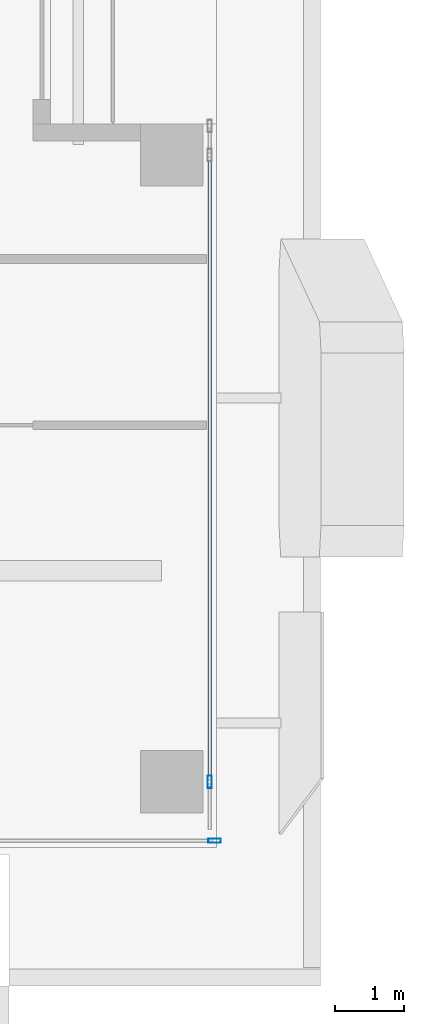
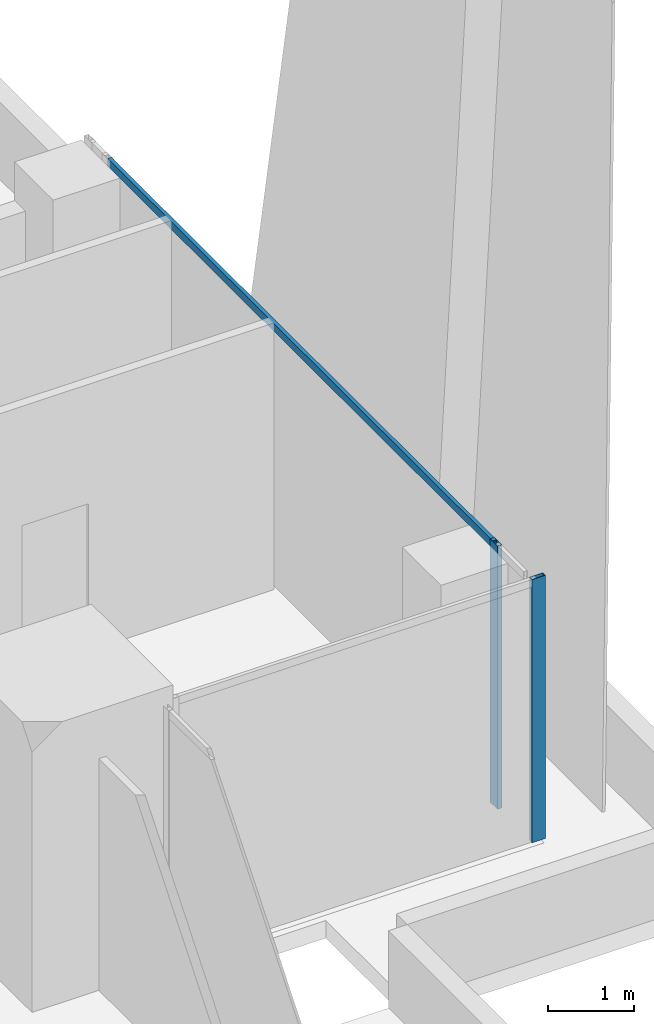
# One storey, part 11 of 33: 3 members, 2 elements without a shape of their own.
"""IFC4 building model written with IfcOpenShell, lengths in metres."""

from ifc_helpers import new_model, si_unit, direction, frame, origin, origin_2d, place, context, subcontext, project, spatial, hollow_rectangle, extrude, source, transform, mapped, material, material_profile, profile_set, type_object, element, aggregate, save


model = new_model("IFC4")

# Units and contexts
model_context = context("Model", 3, precision=1e-05, world=origin(), true_north=direction((0.0, 1.0)))
body_context = subcontext(model_context, "Body", "Model", "MODEL_VIEW")
ifc_project = project(units=[si_unit("LENGTHUNIT", "METRE"), si_unit("AREAUNIT", "SQUARE_METRE"), si_unit("VOLUMEUNIT", "CUBIC_METRE"), si_unit("PLANEANGLEUNIT", "RADIAN"), si_unit("MASSUNIT", "GRAM", prefix="KILO")], contexts=[model_context])

# Site, building, storey
site_placement = place(None, origin())
site = spatial("IfcSite", under=ifc_project, at=site_placement, CompositionType="ELEMENT")
building_placement = place(site_placement, origin())
building = spatial("IfcBuilding", under=site, at=building_placement, Name="Khomas Fold Tower", CompositionType="ELEMENT")
storey_placement = place(building_placement, frame((0.0, 0.0, 222.199951171875)))
storey = spatial("IfcBuildingStorey", under=building, at=storey_placement, Name="L49", CompositionType="ELEMENT", Elevation=222.199951171875)

# Curtain wall, member
ifc_material_1 = material(Name="Aluminium framed double glazing", Category="aluminium")
curtain_wall_type = type_object("IfcCurtainWallType", Name="SK-Unitised clear-glass wall, office floors CW2", PredefinedType="NOTDEFINED", material=ifc_material_1)
curtain_wall_1_placement = place(storey_placement, origin())
curtain_wall_1 = element("IfcCurtainWall", 1, at=curtain_wall_1_placement, inside=storey, type_object=curtain_wall_type, Name="CW2 corner return L49 02", PredefinedType="NOTDEFINED")
ifc_material_2 = material(Name="Aluminium", Category="aluminium")
ifc_material_profile_1 = material_profile(ifc_material_2, hollow_rectangle(XDim=0.06005859375, YDim=0.179931640625, WallThickness=0.00390625, at=origin_2d()), Name="SK-Unitised clear-glass wall, office floors mullion CW2-M")
ifc_profile_set_1 = profile_set([ifc_material_profile_1], Name="Aluminium")
member_type_1 = type_object("IfcMemberType", Name="SK-Unitised clear-glass wall, office floors mullion CW2-M", PredefinedType="MULLION", material=ifc_profile_set_1)
shared_shape_1 = source(origin(), body_context, "Body", "SweptSolid", [
    extrude(hollow_rectangle(XDim=0.06005859375, YDim=0.179931640625, WallThickness=0.00390625, at=origin_2d()), origin(), (0.0, 0.0, 1.0), 3.75),
])
member_1_placement = place(storey_placement, frame((49.469970703125, 9.60009765625, 0.0), z_axis=(0.0, 0.0, 1.0), x_axis=(0.0, 1.0, 0.0)))
member_1 = element("IfcMember", 2, at=member_1_placement, type_object=member_type_1, Name="CW2 mullion 2", PredefinedType="MULLION", context=body_context, shape_type="MappedRepresentation", body=[
    mapped(shared_shape_1, transform((0.0, 0.0, 0.0))),
])
aggregate(curtain_wall_1, [member_1])

# Curtain wall, members
curtain_wall_2_placement = place(storey_placement, origin())
curtain_wall_2 = element("IfcCurtainWall", 3, at=curtain_wall_2_placement, inside=storey, type_object=curtain_wall_type, Name="CW2 run L49 03-0", PredefinedType="NOTDEFINED")
member_2_placement = place(storey_placement, frame((49.39990234375, 10.449951171875, 0.0), z_axis=(0.0, 0.0, 1.0), x_axis=(-1.0, 0.0, 0.0)))
member_2 = element("IfcMember", 4, at=member_2_placement, type_object=member_type_1, Name="CW2 mullion 2", PredefinedType="MULLION", context=body_context, shape_type="MappedRepresentation", body=[
    mapped(shared_shape_1, transform((0.0, 0.0, 0.0))),
])
ifc_material_3 = material(Name="Aluminium", Category="aluminium")
ifc_material_profile_2 = material_profile(ifc_material_3, hollow_rectangle(XDim=0.050048828125, YDim=0.110107421875, WallThickness=0.00390625, at=origin_2d()), Name="SK-Unitised clear-glass wall, office floors transom CW2-T")
ifc_profile_set_2 = profile_set([ifc_material_profile_2], Name="Aluminium")
member_type_2 = type_object("IfcMemberType", Name="SK-Unitised clear-glass wall, office floors transom CW2-T", PredefinedType="USERDEFINED", material=ifc_profile_set_2)
shared_shape_2 = source(origin(), body_context, "Body", "SweptSolid", [
    extrude(hollow_rectangle(XDim=0.050048828125, YDim=0.110107421875, WallThickness=0.00390625, at=origin_2d()), origin(), (0.0, 0.0, 1.0), 8.989990234375),
])
member_3_placement = place(storey_placement, frame((49.39990234375, 10.47998046875, 3.695068359375), z_axis=(0.0, 1.0, 0.0), x_axis=(-1.0, 0.0, 0.0)))
member_3 = element("IfcMember", 5, at=member_3_placement, type_object=member_type_2, Name="CW2 transom 2", ObjectType="TRANSOM", PredefinedType="USERDEFINED", context=body_context, shape_type="MappedRepresentation", body=[
    mapped(shared_shape_2, transform((0.0, 0.0, 0.0))),
])
aggregate(curtain_wall_2, [member_2, member_3])

save(model, "model.ifc")
